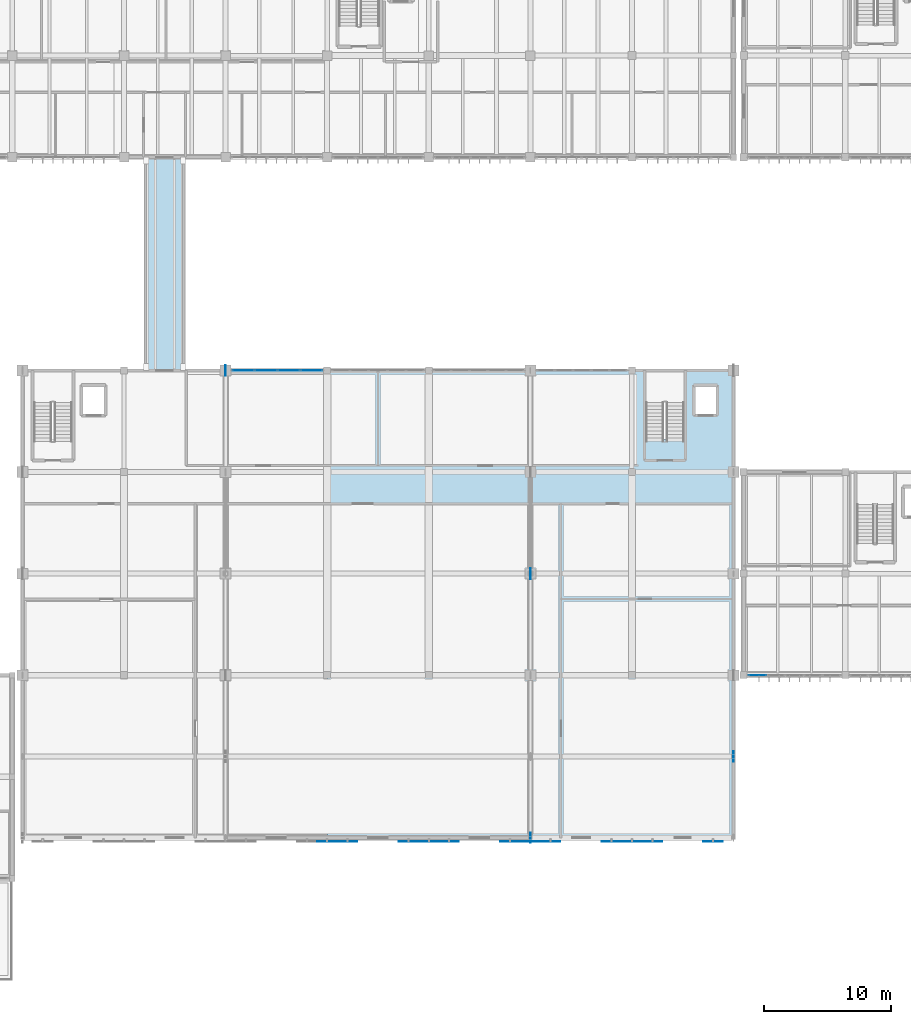
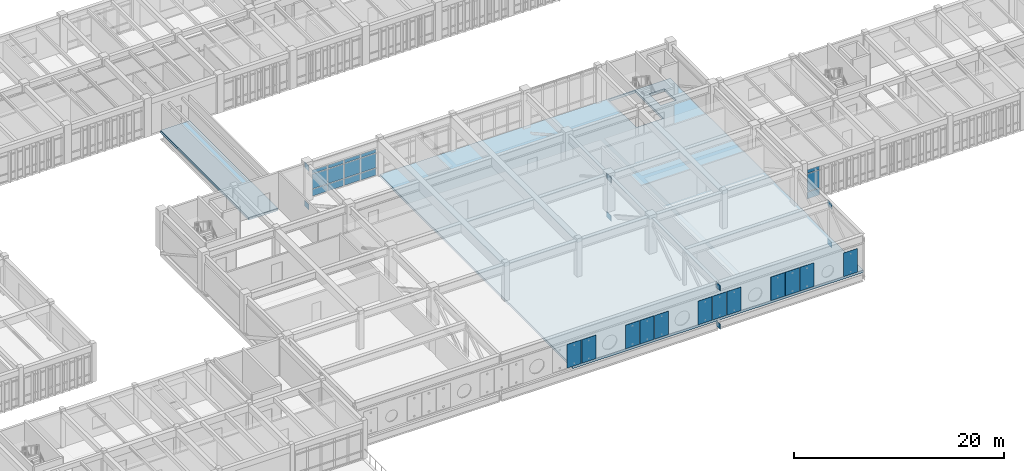
# One storey, part 37 of 79: 35 plates, 2 slabs, 2 elements without a shape of their own.
"""IFC4 building model written with IfcOpenShell, lengths in metres."""

from ifc_helpers import new_model, si_unit, direction, frame, origin, origin_2d, place, context, subcontext, project, spatial, polyline, rectangle, outline, extrude, material, layer, layer_set, type_object, element, aggregate, save


model = new_model("IFC4")

# Units and contexts
model_context = context("Model", 3, precision=1e-05, world=origin(), true_north=direction((0.0, 1.0)))
body_context = subcontext(model_context, "Body", "Model", "MODEL_VIEW")
ifc_project = project(units=[si_unit("LENGTHUNIT", "METRE"), si_unit("AREAUNIT", "SQUARE_METRE"), si_unit("VOLUMEUNIT", "CUBIC_METRE"), si_unit("PLANEANGLEUNIT", "RADIAN"), si_unit("MASSUNIT", "GRAM", prefix="KILO")], contexts=[model_context])

# Site, building, storey
site_placement = place(None, origin())
site = spatial("IfcSite", under=ifc_project, at=site_placement, CompositionType="ELEMENT")
building_placement = place(site_placement, origin())
building = spatial("IfcBuilding", under=site, at=building_placement, Name="Tlaxcora Railside Police Headquarters", CompositionType="ELEMENT")
storey_placement = place(building_placement, frame((0.0, 0.0, 9.0)))
storey = spatial("IfcBuildingStorey", under=building, at=storey_placement, Name="L02", CompositionType="ELEMENT", Elevation=9.0)

# Curtain wall, plates
ifc_material_1 = material(Name="Thermally broken low-E insulated glazing", Category="glass")
curtain_wall_type_1 = type_object("IfcCurtainWallType", Name="Unitised Curtain Wall Assembly CW-83", PredefinedType="NOTDEFINED", material=ifc_material_1)
curtain_wall_1_placement = place(storey_placement, origin())
curtain_wall_1 = element("IfcCurtainWall", 1, at=curtain_wall_1_placement, inside=storey, type_object=curtain_wall_type_1, Name="V2 L02 curtain wall 15", PredefinedType="NOTDEFINED")
ifc_layer_1 = layer(ifc_material_1, 0.035888671875, Name="Thermally broken low-E insulated glazing")
ifc_layer_set_1 = layer_set([ifc_layer_1], Name="Thermally broken low-E insulated glazing")
plate_type_1 = type_object("IfcPlateType", Name="Curtain Wall Infill Panel CW-72", PredefinedType="CURTAIN_PANEL", material=ifc_layer_set_1)
plate_1_placement = place(storey_placement, frame((68.7548828125, 60.0, 0.080078125), z_axis=(0.0, 0.0, 1.0), x_axis=(-1.0, 0.0, 0.0)))
plate_1 = element("IfcPlate", 2, at=plate_1_placement, type_object=plate_type_1, Name="CW panel 1.1", PredefinedType="CURTAIN_PANEL", context=body_context, shape_type="SweptSolid", body=[
    extrude(rectangle(XDim=1.679931640625, YDim=0.035888671875, at=origin_2d()), origin(), (0.0, 0.0, 1.0), 0.780029296875),
])
plate_2_placement = place(storey_placement, frame((68.7548828125, 60.0, 0.93994140625), z_axis=(0.0, 0.0, 1.0), x_axis=(-1.0, 0.0, 0.0)))
plate_2 = element("IfcPlate", 3, at=plate_2_placement, type_object=plate_type_1, Name="CW panel 1.2", PredefinedType="CURTAIN_PANEL", context=body_context, shape_type="SweptSolid", body=[
    extrude(rectangle(XDim=1.679931640625, YDim=0.035888671875, at=origin_2d()), origin(), (0.0, 0.0, 1.0), 1.669921875),
])
plate_3_placement = place(storey_placement, frame((68.7548828125, 60.0, 2.68994140625), z_axis=(0.0, 0.0, 1.0), x_axis=(-1.0, 0.0, 0.0)))
plate_3 = element("IfcPlate", 4, at=plate_3_placement, type_object=plate_type_1, Name="CW panel 1.3", PredefinedType="CURTAIN_PANEL", context=body_context, shape_type="SweptSolid", body=[
    extrude(rectangle(XDim=1.679931640625, YDim=0.035888671875, at=origin_2d()), origin(), (0.0, 0.0, 1.0), 0.409912109375),
])
plate_4_placement = place(storey_placement, frame((66.97509765625, 60.0, 0.080078125), z_axis=(0.0, 0.0, 1.0), x_axis=(-1.0, 0.0, 0.0)))
plate_4 = element("IfcPlate", 5, at=plate_4_placement, type_object=plate_type_1, Name="CW panel 2.1", PredefinedType="CURTAIN_PANEL", context=body_context, shape_type="SweptSolid", body=[
    extrude(rectangle(XDim=1.719970703125, YDim=0.035888671875, at=origin_2d()), origin(), (0.0, 0.0, 1.0), 0.780029296875),
])
plate_5_placement = place(storey_placement, frame((66.97509765625, 60.0, 0.93994140625), z_axis=(0.0, 0.0, 1.0), x_axis=(-1.0, 0.0, 0.0)))
plate_5 = element("IfcPlate", 6, at=plate_5_placement, type_object=plate_type_1, Name="CW panel 2.2", PredefinedType="CURTAIN_PANEL", context=body_context, shape_type="SweptSolid", body=[
    extrude(rectangle(XDim=1.719970703125, YDim=0.035888671875, at=origin_2d()), origin(), (0.0, 0.0, 1.0), 1.669921875),
])
plate_6_placement = place(storey_placement, frame((66.97509765625, 60.0, 2.68994140625), z_axis=(0.0, 0.0, 1.0), x_axis=(-1.0, 0.0, 0.0)))
plate_6 = element("IfcPlate", 7, at=plate_6_placement, type_object=plate_type_1, Name="CW panel 2.3", PredefinedType="CURTAIN_PANEL", context=body_context, shape_type="SweptSolid", body=[
    extrude(rectangle(XDim=1.719970703125, YDim=0.035888671875, at=origin_2d()), origin(), (0.0, 0.0, 1.0), 0.409912109375),
])
plate_7_placement = place(storey_placement, frame((65.175048828125, 60.0, 0.080078125), z_axis=(0.0, 0.0, 1.0), x_axis=(-1.0, 0.0, 0.0)))
plate_7 = element("IfcPlate", 8, at=plate_7_placement, type_object=plate_type_1, Name="CW panel 3.1", PredefinedType="CURTAIN_PANEL", context=body_context, shape_type="SweptSolid", body=[
    extrude(rectangle(XDim=1.719970703125, YDim=0.035888671875, at=origin_2d()), origin(), (0.0, 0.0, 1.0), 0.780029296875),
])
plate_8_placement = place(storey_placement, frame((65.175048828125, 60.0, 0.93994140625), z_axis=(0.0, 0.0, 1.0), x_axis=(-1.0, 0.0, 0.0)))
plate_8 = element("IfcPlate", 9, at=plate_8_placement, type_object=plate_type_1, Name="CW panel 3.2", PredefinedType="CURTAIN_PANEL", context=body_context, shape_type="SweptSolid", body=[
    extrude(rectangle(XDim=1.719970703125, YDim=0.035888671875, at=origin_2d()), origin(), (0.0, 0.0, 1.0), 1.669921875),
])
plate_9_placement = place(storey_placement, frame((65.175048828125, 60.0, 2.68994140625), z_axis=(0.0, 0.0, 1.0), x_axis=(-1.0, 0.0, 0.0)))
plate_9 = element("IfcPlate", 10, at=plate_9_placement, type_object=plate_type_1, Name="CW panel 3.3", PredefinedType="CURTAIN_PANEL", context=body_context, shape_type="SweptSolid", body=[
    extrude(rectangle(XDim=1.719970703125, YDim=0.035888671875, at=origin_2d()), origin(), (0.0, 0.0, 1.0), 0.409912109375),
])
plate_10_placement = place(storey_placement, frame((63.39501953125, 60.0, 0.080078125), z_axis=(0.0, 0.0, 1.0), x_axis=(-1.0, 0.0, 0.0)))
plate_10 = element("IfcPlate", 11, at=plate_10_placement, type_object=plate_type_1, Name="CW panel 4.1", PredefinedType="CURTAIN_PANEL", context=body_context, shape_type="SweptSolid", body=[
    extrude(rectangle(XDim=1.679931640625, YDim=0.035888671875, at=origin_2d()), origin(), (0.0, 0.0, 1.0), 0.780029296875),
])
plate_11_placement = place(storey_placement, frame((63.39501953125, 60.0, 0.93994140625), z_axis=(0.0, 0.0, 1.0), x_axis=(-1.0, 0.0, 0.0)))
plate_11 = element("IfcPlate", 12, at=plate_11_placement, type_object=plate_type_1, Name="CW panel 4.2", PredefinedType="CURTAIN_PANEL", context=body_context, shape_type="SweptSolid", body=[
    extrude(rectangle(XDim=1.679931640625, YDim=0.035888671875, at=origin_2d()), origin(), (0.0, 0.0, 1.0), 1.669921875),
])
plate_12_placement = place(storey_placement, frame((63.39501953125, 60.0, 2.68994140625), z_axis=(0.0, 0.0, 1.0), x_axis=(-1.0, 0.0, 0.0)))
plate_12 = element("IfcPlate", 13, at=plate_12_placement, type_object=plate_type_1, Name="CW panel 4.3", PredefinedType="CURTAIN_PANEL", context=body_context, shape_type="SweptSolid", body=[
    extrude(rectangle(XDim=1.679931640625, YDim=0.035888671875, at=origin_2d()), origin(), (0.0, 0.0, 1.0), 0.409912109375),
])
aggregate(curtain_wall_1, [plate_1, plate_2, plate_3, plate_4, plate_5, plate_6, plate_7, plate_8, plate_9, plate_10, plate_11, plate_12])

curtain_wall_type_2 = type_object("IfcCurtainWallType", Name="Unitised Curtain Wall Assembly CW-38", PredefinedType="NOTDEFINED", material=ifc_material_1)
curtain_wall_2_placement = place(storey_placement, origin())
curtain_wall_2 = element("IfcCurtainWall", 14, at=curtain_wall_2_placement, inside=storey, type_object=curtain_wall_type_2, Name="V7 L02 curtain wall 177", PredefinedType="NOTDEFINED")
ifc_layer_2 = layer(ifc_material_1, 0.028076171875, Name="Thermally broken low-E insulated glazing")
ifc_layer_set_2 = layer_set([ifc_layer_2], Name="Thermally broken low-E insulated glazing")
plate_type_2 = type_object("IfcPlateType", Name="Curtain Wall Infill Panel CW-92", PredefinedType="CURTAIN_PANEL", material=ifc_layer_set_2)
plate_13_placement = place(storey_placement, frame((103.878662109375, 36.0, 0.074951171875), z_axis=(0.0, 0.0, 1.0), x_axis=(1.0, 0.0, 0.0)))
plate_13 = element("IfcPlate", 15, at=plate_13_placement, type_object=plate_type_2, Name="CW panel 1.1", PredefinedType="CURTAIN_PANEL", context=body_context, shape_type="SweptSolid", body=[
    extrude(rectangle(XDim=1.357421875, YDim=0.028076171875, at=origin_2d()), origin(), (0.0, 0.0, 1.0), 0.78759765625),
])
plate_14_placement = place(storey_placement, frame((103.878662109375, 36.0, 0.9375), z_axis=(0.0, 0.0, 1.0), x_axis=(1.0, 0.0, 0.0)))
plate_14 = element("IfcPlate", 16, at=plate_14_placement, type_object=plate_type_2, Name="CW panel 1.2", PredefinedType="CURTAIN_PANEL", context=body_context, shape_type="SweptSolid", body=[
    extrude(rectangle(XDim=1.357421875, YDim=0.028076171875, at=origin_2d()), origin(), (0.0, 0.0, 1.0), 2.044921875),
])
plate_15_placement = place(storey_placement, frame((103.878662109375, 36.0, 3.0576171875), z_axis=(0.0, 0.0, 1.0), x_axis=(1.0, 0.0, 0.0)))
plate_15 = element("IfcPlate", 17, at=plate_15_placement, type_object=plate_type_2, Name="CW panel 1.3", PredefinedType="CURTAIN_PANEL", context=body_context, shape_type="SweptSolid", body=[
    extrude(rectangle(XDim=1.357421875, YDim=0.028076171875, at=origin_2d()), origin(), (0.0, 0.0, 1.0), 0.41748046875),
])
aggregate(curtain_wall_2, [plate_13, plate_14, plate_15])

# Plates
ifc_material_2 = material(Name="Bronze-anodised perforated aluminium sheet", Category="aluminium")
ifc_layer_3 = layer(ifc_material_2, 0.02197265625, Name="Bronze-anodised perforated aluminium sheet")
ifc_layer_set_3 = layer_set([ifc_layer_3], Name="Bronze-anodised perforated aluminium sheet")
plate_type_3 = type_object("IfcPlateType", Name="Perforated Metal Screen Panel SC-25", PredefinedType="SHEET", material=ifc_layer_set_3)
for number, where, z_axis, x_axis, name in (
    (18, (70.0, 22.907470703125, 0.22509765625), (0.0, 0.0, 1.0), (1.0, 0.0, 0.0), "Cosmic perforated bronze screen SCR-V2-L02-0-14"),
    (19, (71.60009765625, 22.907470703125, 0.22509765625), (0.0, 0.0, 1.0), (1.0, 0.0, 0.0), "Cosmic perforated bronze screen SCR-V2-L02-0-15"),
    (20, (76.39990234375, 22.907470703125, 0.22509765625), (0.0, 0.0, 1.0), (1.0, 0.0, 0.0), "Cosmic perforated bronze screen SCR-V2-L02-0-18"),
    (21, (78.0, 22.907470703125, 0.22509765625), (0.0, 0.0, 1.0), (1.0, 0.0, 0.0), "Cosmic perforated bronze screen SCR-V2-L02-0-19"),
    (22, (79.60009765625, 22.907470703125, 0.22509765625), (0.0, 0.0, 1.0), (1.0, 0.0, 0.0), "Cosmic perforated bronze screen SCR-V2-L02-0-20"),
    (23, (84.39990234375, 22.907470703125, 0.22509765625), (0.0, 0.0, 1.0), (1.0, 0.0, 0.0), "Cosmic perforated bronze screen SCR-V2-L02-0-23"),
    (24, (86.0, 22.907470703125, 0.22509765625), (0.0, 0.0, 1.0), (1.0, 0.0, 0.0), "Cosmic perforated bronze screen SCR-V2-L02-0-24"),
    (25, (87.60009765625, 22.907470703125, 0.22509765625), (0.0, 0.0, 1.0), (1.0, 0.0, 0.0), "Cosmic perforated bronze screen SCR-V2-L02-0-25"),
    (26, (92.39990234375, 22.907470703125, 0.22509765625), (0.0, 0.0, 1.0), (1.0, 0.0, 0.0), "Cosmic perforated bronze screen SCR-V2-L02-0-28"),
    (27, (94.0, 22.907470703125, 0.22509765625), (0.0, 0.0, 1.0), (1.0, 0.0, 0.0), "Cosmic perforated bronze screen SCR-V2-L02-0-29"),
    (28, (95.60009765625, 22.907470703125, 0.22509765625), (0.0, 0.0, 1.0), (1.0, 0.0, 0.0), "Cosmic perforated bronze screen SCR-V2-L02-0-30"),
    (29, (100.39990234375, 22.907470703125, 0.22509765625), (0.0, 0.0, 1.0), (1.0, 0.0, 0.0), "Cosmic perforated bronze screen SCR-V2-L02-0-33"),
):
    element("IfcPlate", number, at=place(storey_placement, frame(where, z_axis=z_axis, x_axis=x_axis)), inside=storey, type_object=plate_type_3, Name=name, PredefinedType="SHEET", context=body_context, shape_type="SweptSolid", body=[
        extrude(rectangle(XDim=1.5400390625, YDim=0.02197265625, at=origin_2d()), origin(), (0.0, 0.0, 1.0), 2.75),
    ])
ifc_material_3 = material(Name="Steel ASTM A992 Grade 50", Category="steel")
ifc_layer_4 = layer(ifc_material_3, 0.030029296875, Name="Steel ASTM A992 Grade 50")
ifc_layer_set_4 = layer_set([ifc_layer_4], Name="Steel ASTM A992 Grade 50")
plate_type_4 = type_object("IfcPlateType", Name="Structural Gusset or Cap Plate GP-78", PredefinedType="USERDEFINED", material=ifc_layer_set_4)
for number, where, z_axis, x_axis, name in (
    (30, (86.0, 23.199951171875, 3.39990234375), (0.0, 0.0, 1.0), (0.0, 1.0, 0.0), "Truss gusset plate KN-3-5"),
    (31, (86.0, 23.199951171875, -1.070068359375), (0.0, 0.0, 1.0), (0.0, 1.0, 0.0), "Truss bottom-chord gusset plate KNB-3-5"),
):
    element("IfcPlate", number, at=place(storey_placement, frame(where, z_axis=z_axis, x_axis=x_axis)), inside=storey, type_object=plate_type_4, Name=name, ObjectType="GUSSET PLATE", PredefinedType="USERDEFINED", context=body_context, shape_type="SweptSolid", body=[
        extrude(rectangle(XDim=0.800048828125, YDim=0.030029296875, at=origin_2d()), origin(), (0.0, 0.0, 1.0), 0.60009765625),
    ])
ifc_layer_5 = layer(ifc_material_3, 0.02587890625, Name="Steel ASTM A992 Grade 50")
ifc_layer_set_5 = layer_set([ifc_layer_5], Name="Steel ASTM A992 Grade 50")
plate_type_5 = type_object("IfcPlateType", Name="Structural Gusset or Cap Plate GP-83", PredefinedType="USERDEFINED", material=ifc_layer_set_5)
for number, where, z_axis, x_axis, name in (
    (32, (62.0, 60.0, 3.375), (0.0, 0.0, 1.0), (0.0, 1.0, 0.0), "Truss gusset plate KN-2-0"),
    (33, (62.0, 60.0, -1.094970703125), (0.0, 0.0, 1.0), (0.0, 1.0, 0.0), "Truss bottom-chord gusset plate KNB-2-0"),
    (34, (86.0, 44.0, 3.375), (0.0, 0.0, 1.0), (0.0, 1.0, 0.0), "Truss gusset plate KN-3-2"),
    (35, (86.0, 44.0, -1.094970703125), (0.0, 0.0, 1.0), (0.0, 1.0, 0.0), "Truss bottom-chord gusset plate KNB-3-2"),
    (36, (102.0, 29.60009765625, 3.375), (0.0, 0.0, 1.0), (0.0, 1.0, 0.0), "Truss gusset plate KN-4-4"),
    (37, (102.0, 29.60009765625, -1.094970703125), (0.0, 0.0, 1.0), (0.0, 1.0, 0.0), "Truss bottom-chord gusset plate KNB-4-4"),
):
    element("IfcPlate", number, at=place(storey_placement, frame(where, z_axis=z_axis, x_axis=x_axis)), inside=storey, type_object=plate_type_5, Name=name, ObjectType="GUSSET PLATE", PredefinedType="USERDEFINED", context=body_context, shape_type="SweptSolid", body=[
        extrude(rectangle(XDim=0.85009765625, YDim=0.02587890625, at=origin_2d()), origin(), (0.0, 0.0, 1.0), 0.64990234375),
    ])

# Slabs
ifc_material_4 = material(Name="Concrete C35/45", Category="concrete")
ifc_layer_6 = layer(ifc_material_4, 0.2900390625, Name="Concrete C35/45")
ifc_layer_set_6 = layer_set([ifc_layer_6], Name="Concrete C35/45")
slab_type = type_object("IfcSlabType", Name="Suspended Floor Slab SL-86", PredefinedType="FLOOR", material=ifc_layer_set_6)
slab_1_placement = place(storey_placement, frame((0.0, 0.0, -0.2900390625)))
element("IfcSlab", 38, at=slab_1_placement, inside=storey, type_object=slab_type, Name="V2 L02 floor slab zone 2", PredefinedType="FLOOR", context=body_context, shape_type="SweptSolid", body=[
    extrude(outline(polyline([(102.0, 23.199951171875), (102.0, 60.0), (70.0, 60.0), (70.0, 23.199951171875), (102.0, 23.199951171875)]), holes=[polyline([(98.110107421875, 59.889892578125), (98.110107421875, 54.550048828125), (95.110107421875, 54.550048828125), (95.110107421875, 59.889892578125), (98.110107421875, 59.889892578125)]), polyline([(100.64990234375, 56.550048828125), (98.949951171875, 56.550048828125), (98.949951171875, 58.75), (100.64990234375, 58.75), (100.64990234375, 56.550048828125)])]), origin(), (0.0, 0.0, 1.0), 0.2900390625),
])
slab_2_placement = place(storey_placement, frame((0.0, 0.0, -0.2900390625)))
element("IfcSlab", 39, at=slab_2_placement, inside=storey, type_object=slab_type, Name="L02 PTFE sliding-seat link bridge slab", PredefinedType="FLOOR", context=body_context, shape_type="SweptSolid", body=[
    extrude(outline(polyline([(58.800048828125, 60.0), (58.800048828125, 76.800048828125), (55.60009765625, 76.800048828125), (55.60009765625, 60.0), (58.800048828125, 60.0)])), origin(), (0.0, 0.0, 1.0), 0.2900390625),
])

save(model, "model.ifc")
